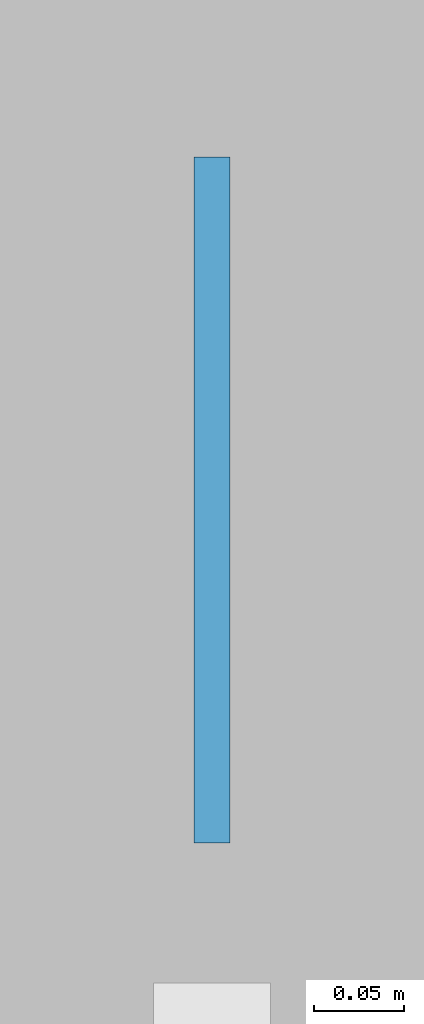
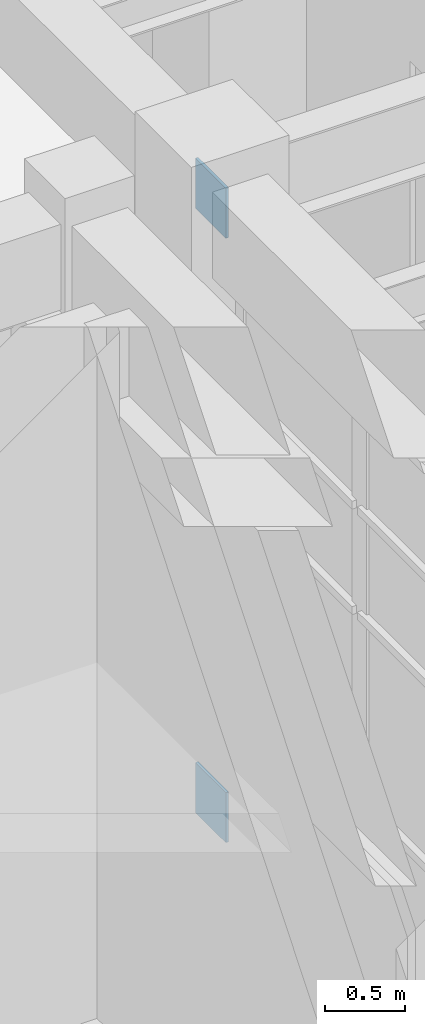
# One storey, part 85 of 103: 2 plates.
"""IFC4 building model written with IfcOpenShell, lengths in metres."""

from ifc_helpers import new_model, si_unit, direction, frame, origin, origin_2d, place, context, subcontext, project, spatial, rectangle, extrude, material, layer, layer_set, type_object, element, save


model = new_model("IFC4")

# Units and contexts
model_context = context("Model", 3, precision=1e-05, world=origin(), true_north=direction((0.0, 1.0)))
body_context = subcontext(model_context, "Body", "Model", "MODEL_VIEW")
ifc_project = project(units=[si_unit("LENGTHUNIT", "METRE"), si_unit("AREAUNIT", "SQUARE_METRE"), si_unit("VOLUMEUNIT", "CUBIC_METRE"), si_unit("PLANEANGLEUNIT", "RADIAN"), si_unit("MASSUNIT", "GRAM", prefix="KILO")], contexts=[model_context])

# Site, building, storey
site_placement = place(None, origin())
site = spatial("IfcSite", under=ifc_project, at=site_placement, CompositionType="ELEMENT")
building_placement = place(site_placement, origin())
building = spatial("IfcBuilding", under=site, at=building_placement, Name="Candilejo Ridge Gondola Terminal", CompositionType="ELEMENT")
storey_placement = place(building_placement, frame((0.0, 0.0, 9.0)))
storey = spatial("IfcBuildingStorey", under=building, at=storey_placement, Name="L02", CompositionType="ELEMENT", Elevation=9.0)

# Plates
ifc_material = material(Name="Steel ASTM A572 Grade 50", Category="steel")
ifc_layer = layer(ifc_material, 0.02001953125)
ifc_layer_set = layer_set([ifc_layer], Name="STR-NODE-PLATE-380X380X20")
plate_type = type_object("IfcPlateType", Name="STR-NODE-PLATE-380X380X20", PredefinedType="USERDEFINED", material=ifc_layer_set)
for number, where, z_axis, x_axis, name in (
    (1, (133.89990234375, 36.699951171875, 0.06005859375), (0.0, 0.0, 1.0), (1.0, 0.0, 0.0), "X-brace corner gusset plate 221"),
    (2, (133.89990234375, 36.699951171875, 4.64501953125), (0.0, 0.0, 1.0), (1.0, 0.0, 0.0), "X-brace corner gusset plate 223"),
):
    element("IfcPlate", number, at=place(storey_placement, frame(where, z_axis=z_axis, x_axis=x_axis)), inside=storey, type_object=plate_type, Name=name, ObjectType="NODE PLATE", PredefinedType="USERDEFINED", context=body_context, shape_type="SweptSolid", body=[
        extrude(rectangle(XDim=0.02001953125, YDim=0.3798828125, at=origin_2d()), origin(), (0.0, 0.0, 1.0), 0.3798828125),
    ])

save(model, "model.ifc")
